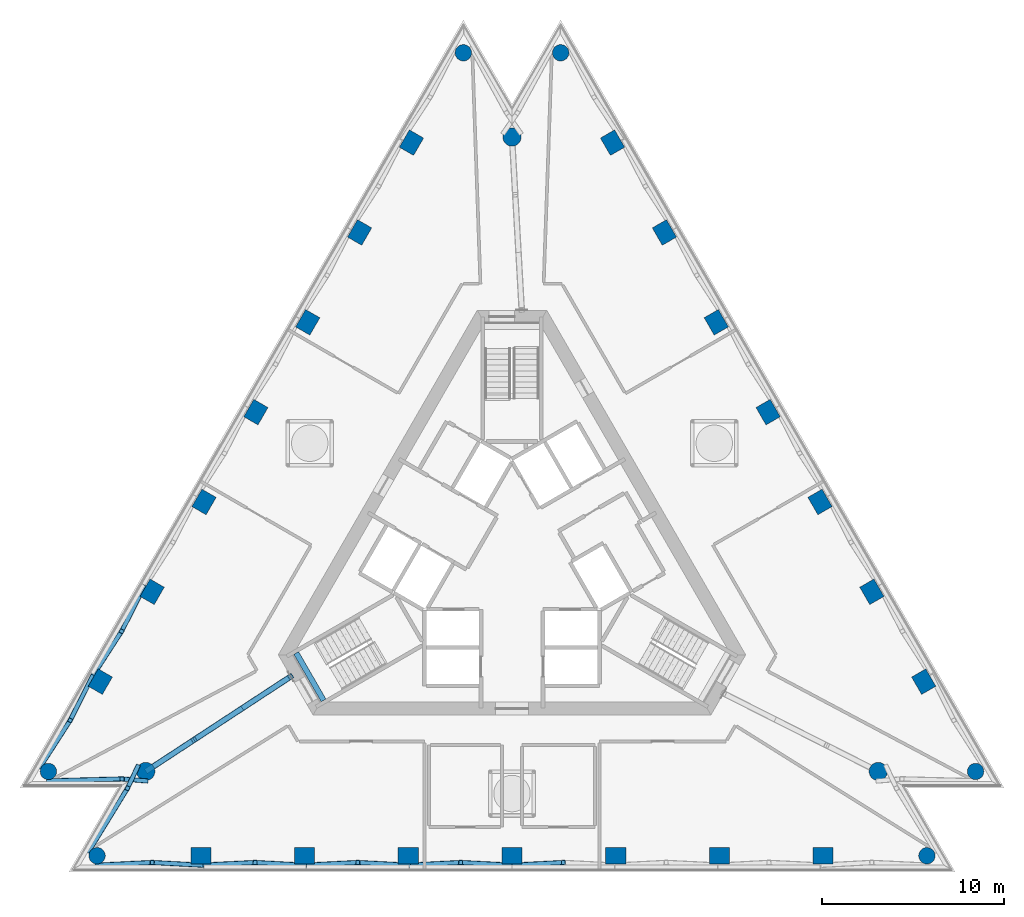
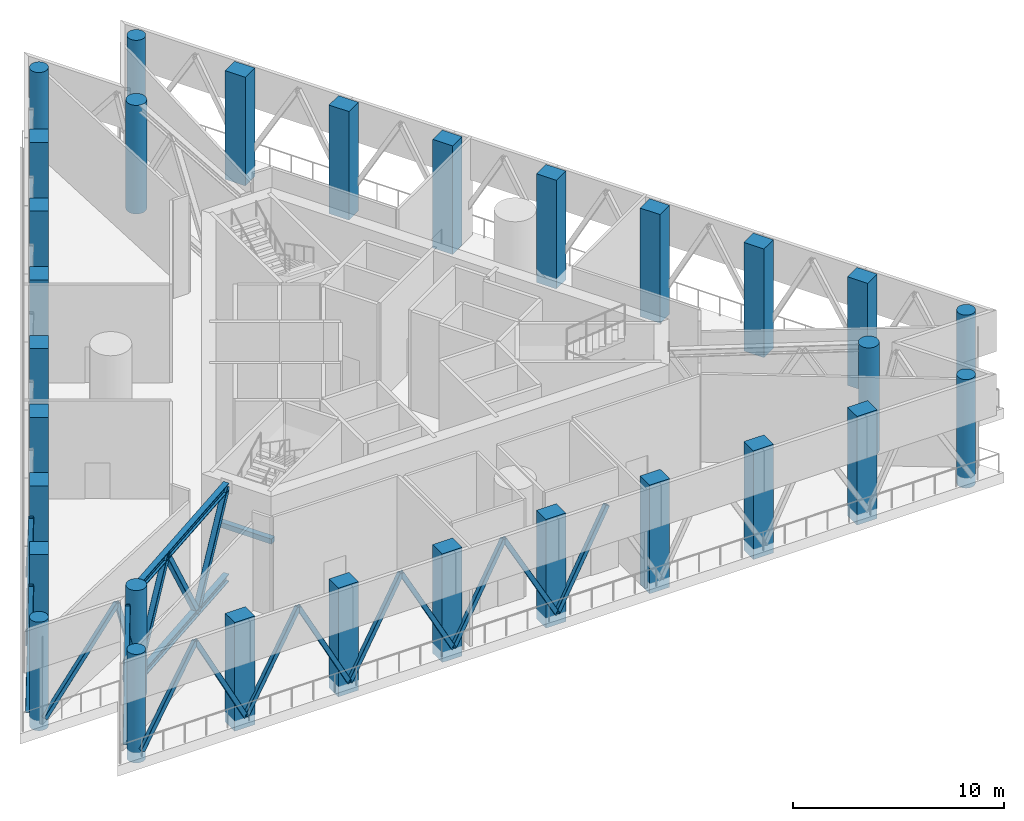
# One storey, part 1 of 15: 30 columns, 22 members, 1 beam.
"""IFC4 building model written with IfcOpenShell, lengths in metres."""

from ifc_helpers import new_model, si_unit, direction, frame, origin, origin_2d, place, context, subcontext, project, spatial, rectangle, hollow_rectangle, circle, i_section, extrude, material, material_profile, profile_set, type_object, element, save


model = new_model("IFC4")

# Units and contexts
model_context = context("Model", 3, precision=1e-05, world=origin(), true_north=direction((0.0, 1.0)))
body_context = subcontext(model_context, "Body", "Model", "MODEL_VIEW")
ifc_project = project(units=[si_unit("LENGTHUNIT", "METRE"), si_unit("AREAUNIT", "SQUARE_METRE"), si_unit("VOLUMEUNIT", "CUBIC_METRE"), si_unit("PLANEANGLEUNIT", "RADIAN"), si_unit("MASSUNIT", "GRAM", prefix="KILO")], contexts=[model_context])

# Site, building, storey
site_placement = place(None, origin())
site = spatial("IfcSite", under=ifc_project, at=site_placement, CompositionType="ELEMENT")
building_placement = place(site_placement, origin())
building = spatial("IfcBuilding", under=site, at=building_placement, Name="Triada Interchange Tower", CompositionType="ELEMENT")
storey_placement = place(building_placement, frame((0.0, 0.0, 255.800048828125)))
storey = spatial("IfcBuildingStorey", under=building, at=storey_placement, Name="L60", CompositionType="ELEMENT", Elevation=255.800048828125)

# Columns
ifc_material_1 = material(Name="Concrete C50/60", Category="concrete")
ifc_material_profile_1 = material_profile(ifc_material_1, rectangle(XDim=1.10009765625, YDim=0.89990234375, at=origin_2d()), Name="RC 1100x900")
ifc_profile_set_1 = profile_set([ifc_material_profile_1], Name="Concrete C50/60")
column_type_1 = type_object("IfcColumnType", Name="Column C face RC 1100x900", PredefinedType="COLUMN", material=ifc_profile_set_1)
for number, where, z_axis, x_axis, name in (
    (1, (-5.513916015625, 22.89404296875, -0.60009765625), (0.0, 0.0, 1.0), (0.5, 0.866025403784, 0.0), "Column CC02 L60"),
    (2, (-8.35888671875, 17.966064453125, -0.60009765625), (0.0, 0.0, 1.0), (0.5, 0.866025403784, 0.0), "Column CC03 L60"),
    (3, (-11.2041015625, 13.0380859375, -0.60009765625), (0.0, 0.0, 1.0), (0.5, 0.866025403784, 0.0), "Column CC04 L60"),
    (4, (-14.048095703125, 8.111083984375, -0.60009765625), (0.0, 0.0, 1.0), (0.5, 0.866025403784, 0.0), "Column CC05 L60"),
    (5, (-16.89306640625, 3.18310546875, -0.60009765625), (0.0, 0.0, 1.0), (0.5, 0.866025403784, 0.0), "Column CC06 L60"),
    (6, (-19.738037109375, -1.743896484375, -0.60009765625), (0.0, 0.0, 1.0), (0.5, 0.866025403784, 0.0), "Column CC07 L60"),
    (7, (-22.5830078125, -6.6708984375, -0.60009765625), (0.0, 0.0, 1.0), (0.5, 0.866025403784, 0.0), "Column CC08 L60"),
    (8, (-17.069091796875, -16.221923828125, -0.60009765625), (0.0, 0.0, 1.0), (1.0, 0.0, 0.0), "Column CC11 L60"),
    (9, (-11.3798828125, -16.221923828125, -0.60009765625), (0.0, 0.0, 1.0), (1.0, 0.0, 0.0), "Column CC12 L60"),
    (10, (-5.68994140625, -16.221923828125, -0.60009765625), (0.0, 0.0, 1.0), (1.0, 0.0, 0.0), "Column CC13 L60"),
    (11, (0.0, -16.221923828125, -0.60009765625), (0.0, 0.0, 1.0), (1.0, 0.0, 0.0), "Column CC14 L60"),
    (12, (5.68994140625, -16.221923828125, -0.60009765625), (0.0, 0.0, 1.0), (1.0, 0.0, 0.0), "Column CC15 L60"),
    (13, (11.3798828125, -16.221923828125, -0.60009765625), (0.0, 0.0, 1.0), (1.0, 0.0, 0.0), "Column CC16 L60"),
    (14, (17.069091796875, -16.221923828125, -0.60009765625), (0.0, 0.0, 1.0), (1.0, 0.0, 0.0), "Column CC17 L60"),
    (15, (22.5830078125, -6.672119140625, -0.60009765625), (0.0, 0.0, 1.0), (-0.5, 0.866025403784, 0.0), "Column CC20 L60"),
    (16, (19.738037109375, -1.743896484375, -0.60009765625), (0.0, 0.0, 1.0), (-0.5, 0.866025403784, 0.0), "Column CC21 L60"),
    (17, (16.89306640625, 3.18408203125, -0.60009765625), (0.0, 0.0, 1.0), (-0.5, 0.866025403784, 0.0), "Column CC22 L60"),
    (18, (14.048095703125, 8.111083984375, -0.60009765625), (0.0, 0.0, 1.0), (-0.5, 0.866025403784, 0.0), "Column CC23 L60"),
    (19, (11.2041015625, 13.0390625, -0.60009765625), (0.0, 0.0, 1.0), (-0.5, 0.866025403784, 0.0), "Column CC24 L60"),
    (20, (8.35888671875, 17.966064453125, -0.60009765625), (0.0, 0.0, 1.0), (-0.5, 0.866025403784, 0.0), "Column CC25 L60"),
    (21, (5.513916015625, 22.89404296875, -0.60009765625), (0.0, 0.0, 1.0), (-0.5, 0.866025403784, 0.0), "Column CC26 L60"),
):
    element("IfcColumn", number, at=place(storey_placement, frame(where, z_axis=z_axis, x_axis=x_axis)), inside=storey, type_object=column_type_1, Name=name, PredefinedType="COLUMN", context=body_context, shape_type="SweptSolid", body=[
        extrude(rectangle(XDim=1.10009765625, YDim=0.89990234375, at=origin_2d()), origin(), (0.0, 0.0, 1.0), 6.300048828125),
    ])
ifc_material_profile_2 = material_profile(ifc_material_1, circle(Radius=0.449951171875, at=origin_2d()), Name="RC D900")
ifc_profile_set_2 = profile_set([ifc_material_profile_2], Name="Concrete C50/60")
column_type_2 = type_object("IfcColumnType", Name="End column C RC D900", PredefinedType="COLUMN", material=ifc_profile_set_2)
for number, where, z_axis, x_axis, name in (
    (22, (-2.6689453125, 27.821044921875, -0.60009765625), (0.0, 0.0, 1.0), (0.5, 0.866025403784, 0.0), "Column CC01 L60"),
    (23, (-25.427978515625, -11.59912109375, -0.60009765625), (0.0, 0.0, 1.0), (0.5, 0.866025403784, 0.0), "Column CC09 L60"),
    (24, (-22.759033203125, -16.221923828125, -0.60009765625), (0.0, 0.0, 1.0), (1.0, 0.0, 0.0), "Column CC10 L60"),
    (25, (22.759033203125, -16.221923828125, -0.60009765625), (0.0, 0.0, 1.0), (1.0, 0.0, 0.0), "Column CC18 L60"),
    (26, (25.427978515625, -11.59912109375, -0.60009765625), (0.0, 0.0, 1.0), (-0.5, 0.866025403784, 0.0), "Column CC19 L60"),
    (27, (2.6689453125, 27.821044921875, -0.60009765625), (0.0, 0.0, 1.0), (-0.5, 0.866025403784, 0.0), "Column CC27 L60"),
):
    element("IfcColumn", number, at=place(storey_placement, frame(where, z_axis=z_axis, x_axis=x_axis)), inside=storey, type_object=column_type_2, Name=name, PredefinedType="COLUMN", context=body_context, shape_type="SweptSolid", body=[
        extrude(circle(Radius=0.449951171875, at=origin_2d()), origin(), (0.0, 0.0, 1.0), 6.300048828125),
    ])
ifc_material_profile_3 = material_profile(ifc_material_1, circle(Radius=0.5, at=origin_2d()), Name="RC D1000")
ifc_profile_set_3 = profile_set([ifc_material_profile_3], Name="Concrete C50/60")
column_type_3 = type_object("IfcColumnType", Name="Mega column C RC D1000", PredefinedType="COLUMN", material=ifc_profile_set_3)
for number, where, z_axis, x_axis, name in (
    (28, (0.0, 23.197998046875, -0.60009765625), (0.0, 0.0, 1.0), (1.0, 0.0, 0.0), "Column MC1 L60"),
    (29, (-20.090087890625, -11.59912109375, -0.60009765625), (0.0, 0.0, 1.0), (1.0, 0.0, 0.0), "Column MC2 L60"),
    (30, (20.090087890625, -11.59912109375, -0.60009765625), (0.0, 0.0, 1.0), (1.0, 0.0, 0.0), "Column MC3 L60"),
):
    element("IfcColumn", number, at=place(storey_placement, frame(where, z_axis=z_axis, x_axis=x_axis)), inside=storey, type_object=column_type_3, Name=name, PredefinedType="COLUMN", context=body_context, shape_type="SweptSolid", body=[
        extrude(circle(Radius=0.5, at=origin_2d()), origin(), (0.0, 0.0, 1.0), 6.300048828125),
    ])

# Members
ifc_material_2 = material(Name="Steel S355", Category="steel")
ifc_material_profile_4 = material_profile(ifc_material_2, hollow_rectangle(XDim=0.25, YDim=0.25, WallThickness=0.012451171875, InnerFilletRadius=0.012451171875, OuterFilletRadius=0.018798828125, at=origin_2d()), Name="RHS 250x250x12.5")
ifc_profile_set_4 = profile_set([ifc_material_profile_4], Name="Steel S355")
member_type_1 = type_object("IfcMemberType", Name="Belt truss diagonal RHS 250x250x12.5", PredefinedType="BRACE", material=ifc_profile_set_4)
member_1_placement = place(storey_placement, frame((-20.18408203125, -1.486083984375, 0.14990234375), z_axis=(-0.209771495601, -0.413219058767, 0.886141032288), x_axis=(0.891681264484, -0.452663807443, 0.0)))
element("IfcMember", 31, at=member_1_placement, inside=storey, type_object=member_type_1, Name="Belt truss diagonal 013 L60", PredefinedType="BRACE", context=body_context, shape_type="SweptSolid", body=[
    extrude(hollow_rectangle(XDim=0.25, YDim=0.25, WallThickness=0.012451171875, InnerFilletRadius=0.012451171875, OuterFilletRadius=0.018798828125, at=origin_2d()), origin(), (0.0, 0.0, 1.0), 5.8681640625),
])
member_2_placement = place(storey_placement, frame((-23.029052734375, -6.4130859375, 0.14990234375), z_axis=(0.269355952691, 0.417581176695, 0.867797978576), x_axis=(-0.840343635766, 0.542054032203, 0.0)))
element("IfcMember", 32, at=member_2_placement, inside=storey, type_object=member_type_1, Name="Belt truss diagonal 014 L60", PredefinedType="BRACE", context=body_context, shape_type="SweptSolid", body=[
    extrude(hollow_rectangle(XDim=0.25, YDim=0.25, WallThickness=0.012451171875, InnerFilletRadius=0.012451171875, OuterFilletRadius=0.018798828125, at=origin_2d()), origin(), (0.0, 0.0, 1.0), 5.9921875),
])
member_3_placement = place(storey_placement, frame((-23.029052734375, -6.4140625, 0.14990234375), z_axis=(-0.206358045075, -0.407202069513, 0.889720648191), x_axis=(0.891998388808, -0.452038576191, 0.0)))
element("IfcMember", 33, at=member_3_placement, inside=storey, type_object=member_type_1, Name="Belt truss diagonal 015 L60", PredefinedType="BRACE", context=body_context, shape_type="SweptSolid", body=[
    extrude(hollow_rectangle(XDim=0.25, YDim=0.25, WallThickness=0.012451171875, InnerFilletRadius=0.012451171875, OuterFilletRadius=0.018798828125, at=origin_2d()), origin(), (0.0, 0.0, 1.0), 5.844482421875),
])
member_4_placement = place(storey_placement, frame((-25.8740234375, -11.342041015625, 0.14990234375), z_axis=(0.272328121817, 0.423400656547, 0.864042405269), x_axis=(-0.841050158091, 0.540957143936, 0.0)))
element("IfcMember", 34, at=member_4_placement, inside=storey, type_object=member_type_1, Name="Belt truss diagonal 016 L60", PredefinedType="BRACE", context=body_context, shape_type="SweptSolid", body=[
    extrude(hollow_rectangle(XDim=0.25, YDim=0.25, WallThickness=0.012451171875, InnerFilletRadius=0.012451171875, OuterFilletRadius=0.018798828125, at=origin_2d()), origin(), (0.0, 0.0, 1.0), 6.01806640625),
])
member_5_placement = place(storey_placement, frame((-25.427978515625, -12.114013671875, 0.14990234375), z_axis=(0.613816123118, 0.016231071114, 0.789282154449), x_axis=(-0.026433648255, 0.999650570069, 0.0)))
element("IfcMember", 35, at=member_5_placement, inside=storey, type_object=member_type_1, Name="Belt truss diagonal 017 L60", PredefinedType="BRACE", context=body_context, shape_type="SweptSolid", body=[
    extrude(hollow_rectangle(XDim=0.25, YDim=0.25, WallThickness=0.012451171875, InnerFilletRadius=0.012451171875, OuterFilletRadius=0.018798828125, at=origin_2d()), origin(), (0.0, 0.0, 1.0), 6.588134765625),
])
member_6_placement = place(storey_placement, frame((-20.090087890625, -12.114013671875, 0.14990234375), z_axis=(-0.241426105573, 0.019951817781, 0.970214079735), x_axis=(-0.082360741756, -0.996602582887, 0.0)))
element("IfcMember", 36, at=member_6_placement, inside=storey, type_object=member_type_1, Name="Belt truss diagonal 018 L60", PredefinedType="BRACE", context=body_context, shape_type="SweptSolid", body=[
    extrude(hollow_rectangle(XDim=0.25, YDim=0.25, WallThickness=0.012451171875, InnerFilletRadius=0.012451171875, OuterFilletRadius=0.018798828125, at=origin_2d()), origin(), (0.0, 0.0, 1.0), 5.359619140625),
])
member_7_placement = place(storey_placement, frame((-20.535888671875, -11.342041015625, 0.14990234375), z_axis=(-0.103408677635, -0.218843738924, 0.970264944911), x_axis=(0.9041436513, -0.427228577946, 0.0)))
element("IfcMember", 37, at=member_7_placement, inside=storey, type_object=member_type_1, Name="Belt truss diagonal 019 L60", PredefinedType="BRACE", context=body_context, shape_type="SweptSolid", body=[
    extrude(hollow_rectangle(XDim=0.25, YDim=0.25, WallThickness=0.012451171875, InnerFilletRadius=0.012451171875, OuterFilletRadius=0.018798828125, at=origin_2d()), origin(), (0.0, 0.0, 1.0), 5.359375),
])
member_8_placement = place(storey_placement, frame((-23.205078125, -15.965087890625, 0.14990234375), z_axis=(0.320982121736, 0.523619917393, 0.789172135618), x_axis=(-0.852562232743, 0.522625716264, 0.0)))
element("IfcMember", 38, at=member_8_placement, inside=storey, type_object=member_type_1, Name="Belt truss diagonal 020 L60", PredefinedType="BRACE", context=body_context, shape_type="SweptSolid", body=[
    extrude(hollow_rectangle(XDim=0.25, YDim=0.25, WallThickness=0.012451171875, InnerFilletRadius=0.012451171875, OuterFilletRadius=0.018798828125, at=origin_2d()), origin(), (0.0, 0.0, 1.0), 6.589111328125),
])
member_9_placement = place(storey_placement, frame((-22.759033203125, -16.737060546875, 0.14990234375), z_axis=(0.50283208949, 0.024259264987, 0.864043620335), x_axis=(-0.048189210056, 0.998838225157, 0.0)))
element("IfcMember", 39, at=member_9_placement, inside=storey, type_object=member_type_1, Name="Belt truss diagonal 021 L60", PredefinedType="BRACE", context=body_context, shape_type="SweptSolid", body=[
    extrude(hollow_rectangle(XDim=0.25, YDim=0.25, WallThickness=0.012451171875, InnerFilletRadius=0.012451171875, OuterFilletRadius=0.018798828125, at=origin_2d()), origin(), (0.0, 0.0, 1.0), 6.01806640625),
])
member_10_placement = place(storey_placement, frame((-17.069091796875, -16.737060546875, 0.14990234375), z_axis=(-0.455791719254, 0.024980611137, 0.889735847163), x_axis=(-0.054724945238, -0.998501467384, 0.0)))
element("IfcMember", 40, at=member_10_placement, inside=storey, type_object=member_type_1, Name="Belt truss diagonal 022 L60", PredefinedType="BRACE", context=body_context, shape_type="SweptSolid", body=[
    extrude(hollow_rectangle(XDim=0.25, YDim=0.25, WallThickness=0.012451171875, InnerFilletRadius=0.012451171875, OuterFilletRadius=0.018798828125, at=origin_2d()), origin(), (0.0, 0.0, 1.0), 5.844482421875),
])
member_11_placement = place(storey_placement, frame((-17.069091796875, -16.737060546875, 0.14990234375), z_axis=(0.496333860446, 0.024364443322, 0.867789763063), x_axis=(-0.049029781284, 0.998797317051, 0.0)))
element("IfcMember", 41, at=member_11_placement, inside=storey, type_object=member_type_1, Name="Belt truss diagonal 023 L60", PredefinedType="BRACE", context=body_context, shape_type="SweptSolid", body=[
    extrude(hollow_rectangle(XDim=0.25, YDim=0.25, WallThickness=0.012451171875, InnerFilletRadius=0.012451171875, OuterFilletRadius=0.018798828125, at=origin_2d()), origin(), (0.0, 0.0, 1.0), 5.9921875),
])
member_12_placement = place(storey_placement, frame((-11.3798828125, -16.737060546875, 0.14990234375), z_axis=(-0.462700060231, 0.024880373709, 0.886165684997), x_axis=(-0.05369457142, -0.998557405961, 0.0)))
element("IfcMember", 42, at=member_12_placement, inside=storey, type_object=member_type_1, Name="Belt truss diagonal 024 L60", PredefinedType="BRACE", context=body_context, shape_type="SweptSolid", body=[
    extrude(hollow_rectangle(XDim=0.25, YDim=0.25, WallThickness=0.012451171875, InnerFilletRadius=0.012451171875, OuterFilletRadius=0.018798828125, at=origin_2d()), origin(), (0.0, 0.0, 1.0), 5.867919921875),
])
member_13_placement = place(storey_placement, frame((-11.3798828125, -16.737060546875, 0.14990234375), z_axis=(0.489844422272, 0.02446767161, 0.871466450883), x_axis=(-0.04988768717, 0.998754834115, 0.0)))
element("IfcMember", 43, at=member_13_placement, inside=storey, type_object=member_type_1, Name="Belt truss diagonal 025 L60", PredefinedType="BRACE", context=body_context, shape_type="SweptSolid", body=[
    extrude(hollow_rectangle(XDim=0.25, YDim=0.25, WallThickness=0.012451171875, InnerFilletRadius=0.012451171875, OuterFilletRadius=0.018798828125, at=origin_2d()), origin(), (0.0, 0.0, 1.0), 5.966796875),
])
member_14_placement = place(storey_placement, frame((-5.68994140625, -16.737060546875, 0.14990234375), z_axis=(-0.469622022955, 0.024778010387, 0.882519804739), x_axis=(-0.052688316709, -0.998611005989, 0.0)))
element("IfcMember", 44, at=member_14_placement, inside=storey, type_object=member_type_1, Name="Belt truss diagonal 026 L60", PredefinedType="BRACE", context=body_context, shape_type="SweptSolid", body=[
    extrude(hollow_rectangle(XDim=0.25, YDim=0.25, WallThickness=0.012451171875, InnerFilletRadius=0.012451171875, OuterFilletRadius=0.018798828125, at=origin_2d()), origin(), (0.0, 0.0, 1.0), 5.89208984375),
])
member_15_placement = place(storey_placement, frame((-5.68994140625, -16.737060546875, 0.14990234375), z_axis=(0.483178044267, 0.024571857341, 0.875177239972), x_axis=(-0.050789031701, 0.998709404311, 0.0)))
element("IfcMember", 45, at=member_15_placement, inside=storey, type_object=member_type_1, Name="Belt truss diagonal 027 L60", PredefinedType="BRACE", context=body_context, shape_type="SweptSolid", body=[
    extrude(hollow_rectangle(XDim=0.25, YDim=0.25, WallThickness=0.012451171875, InnerFilletRadius=0.012451171875, OuterFilletRadius=0.018798828125, at=origin_2d()), origin(), (0.0, 0.0, 1.0), 5.941650390625),
])
for number, where, z_axis, x_axis, name in (
    (46, (0.0, -16.737060546875, 0.14990234375), (-0.476458453405, 0.02467499395, 0.878850662429), (-0.05171903367, -0.998661675222, 0.0), "Belt truss diagonal 028 L60"),
    (47, (0.0, -16.737060546875, 0.14990234375), (0.476458453405, 0.02467499395, 0.878850662429), (-0.05171903367, 0.998661675222, 0.0), "Belt truss diagonal 029 L60"),
):
    element("IfcMember", number, at=place(storey_placement, frame(where, z_axis=z_axis, x_axis=x_axis)), inside=storey, type_object=member_type_1, Name=name, PredefinedType="BRACE", context=body_context, shape_type="SweptSolid", body=[
        extrude(hollow_rectangle(XDim=0.25, YDim=0.25, WallThickness=0.012451171875, InnerFilletRadius=0.012451171875, OuterFilletRadius=0.018798828125, at=origin_2d()), origin(), (0.0, 0.0, 1.0), 5.916748046875),
    ])

# Beam
ifc_material_3 = material(Name="Concrete C35/45", Category="concrete")
ifc_material_profile_5 = material_profile(ifc_material_3, rectangle(XDim=0.300048828125, YDim=0.300048828125, at=origin_2d()), Name="RC 300x300")
ifc_profile_set_5 = profile_set([ifc_material_profile_5], Name="Concrete C35/45")
beam_type = type_object("IfcBeamType", Name="Landing support beam RC 300x300", PredefinedType="BEAM", material=ifc_profile_set_5)
beam_placement = place(storey_placement, frame((-11.8349609375, -5.10107421875, 2.491943359375), z_axis=(0.50002537861, -0.866010750942, 0.0), x_axis=(0.866010750942, 0.50002537861, 0.0)))
element("IfcBeam", 48, at=beam_placement, inside=storey, type_object=beam_type, Name="Landing support beam S60-2 1", PredefinedType="BEAM", context=body_context, shape_type="SweptSolid", body=[
    extrude(rectangle(XDim=0.300048828125, YDim=0.300048828125, at=origin_2d()), origin(), (0.0, 0.0, 1.0), 2.999755859375),
])

# Members
ifc_material_4 = material(Name="Steel S460M", Category="steel")
ifc_material_profile_6 = material_profile(ifc_material_4, i_section(OverallWidth=0.306884765625, OverallDepth=0.431884765625, WebThickness=0.02099609375, FlangeThickness=0.0400390625, FilletRadius=0.027099609375, at=origin_2d()), Name="HEM 400")
ifc_profile_set_6 = profile_set([ifc_material_profile_6], Name="Steel S460M")
member_type_2 = type_object("IfcMemberType", Name="Outrigger chord HEM 400", PredefinedType="CHORD", material=ifc_profile_set_6)
for number, where, z_axis, x_axis, name in (
    (49, (-12.14697265625, -6.39697265625, 0.216064453125), (-0.836555816914, -0.547881707294, 0.0), (0.547881707294, -0.836555816914, 0.0), "Outrigger bottom chord SW L60"),
    (50, (-12.14697265625, -6.39697265625, 5.48388671875), (-0.836555816914, -0.547881707294, 0.0), (0.547881707294, -0.836555816914, 0.0), "Outrigger top chord SW L60"),
):
    element("IfcMember", number, at=place(storey_placement, frame(where, z_axis=z_axis, x_axis=x_axis)), inside=storey, type_object=member_type_2, Name=name, PredefinedType="CHORD", context=body_context, shape_type="SweptSolid", body=[
        extrude(i_section(OverallWidth=0.306884765625, OverallDepth=0.431884765625, WebThickness=0.02099609375, FlangeThickness=0.0400390625, FilletRadius=0.027099609375, at=origin_2d()), origin(), (0.0, 0.0, 1.0), 9.4951171875),
    ])
ifc_material_profile_7 = material_profile(ifc_material_2, hollow_rectangle(XDim=0.300048828125, YDim=0.300048828125, WallThickness=0.01611328125, InnerFilletRadius=0.01611328125, OuterFilletRadius=0.02392578125, at=origin_2d()), Name="RHS 300x300x16")
ifc_profile_set_7 = profile_set([ifc_material_profile_7], Name="Steel S355")
member_type_3 = type_object("IfcMemberType", Name="Outrigger diagonal RHS 300x300x16", PredefinedType="BRACE", material=ifc_profile_set_7)
member_16_placement = place(storey_placement, frame((-12.14697265625, -6.39697265625, 5.48388671875), z_axis=(-0.430866848351, -0.28217289543, -0.857165220991), x_axis=(0.547864348105, -0.836567185632, 0.0)))
element("IfcMember", 51, at=member_16_placement, inside=storey, type_object=member_type_3, Name="Outrigger diagonal SW 1 L60", PredefinedType="BRACE", context=body_context, shape_type="SweptSolid", body=[
    extrude(hollow_rectangle(XDim=0.300048828125, YDim=0.300048828125, WallThickness=0.01611328125, InnerFilletRadius=0.01611328125, OuterFilletRadius=0.02392578125, at=origin_2d()), origin(), (0.0, 0.0, 1.0), 6.145751953125),
])
member_17_placement = place(storey_placement, frame((-14.794921875, -8.131103515625, 0.216064453125), z_axis=(-0.430742260178, -0.282155647647, 0.857233512993), x_axis=(0.547951796481, -0.836509909525, 0.0)))
element("IfcMember", 52, at=member_17_placement, inside=storey, type_object=member_type_3, Name="Outrigger diagonal SW 2 L60", PredefinedType="BRACE", context=body_context, shape_type="SweptSolid", body=[
    extrude(hollow_rectangle(XDim=0.300048828125, YDim=0.300048828125, WallThickness=0.01611328125, InnerFilletRadius=0.01611328125, OuterFilletRadius=0.02392578125, at=origin_2d()), origin(), (0.0, 0.0, 1.0), 6.145263671875),
])
member_18_placement = place(storey_placement, frame((-17.44189453125, -9.864990234375, 5.48388671875), z_axis=(-0.430899198437, -0.282168065502, -0.857150548969), x_axis=(0.547828998621, -0.836590334794, 0.0)))
element("IfcMember", 53, at=member_18_placement, inside=storey, type_object=member_type_3, Name="Outrigger diagonal SW 3 L60", PredefinedType="BRACE", context=body_context, shape_type="SweptSolid", body=[
    extrude(hollow_rectangle(XDim=0.300048828125, YDim=0.300048828125, WallThickness=0.01611328125, InnerFilletRadius=0.01611328125, OuterFilletRadius=0.02392578125, at=origin_2d()), origin(), (0.0, 0.0, 1.0), 6.145751953125),
])

save(model, "model.ifc")
